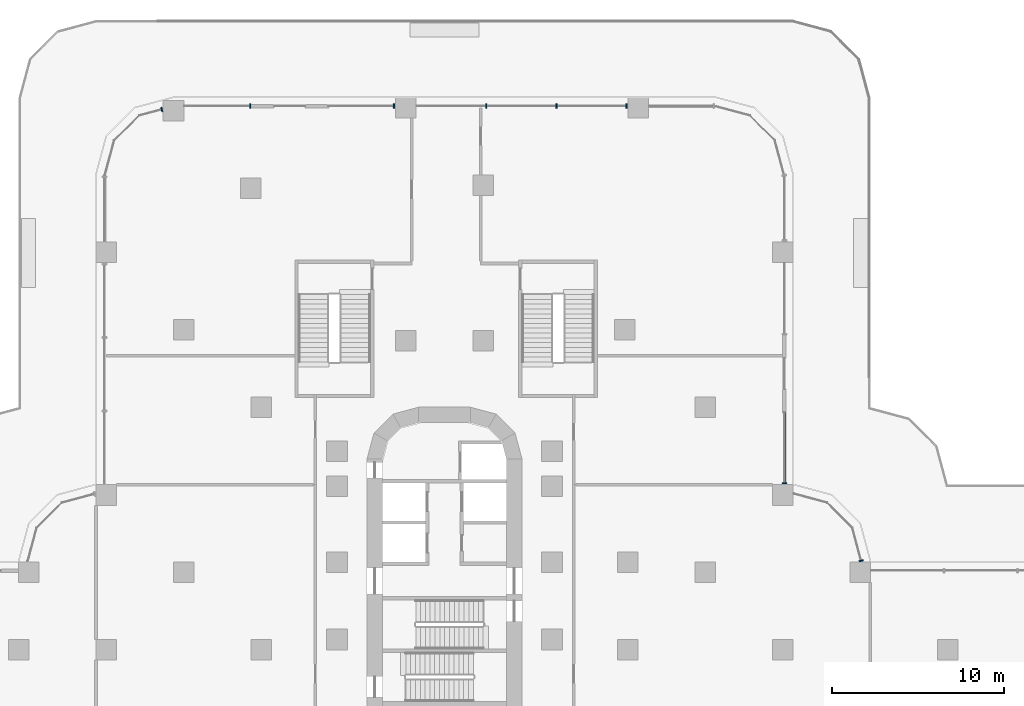
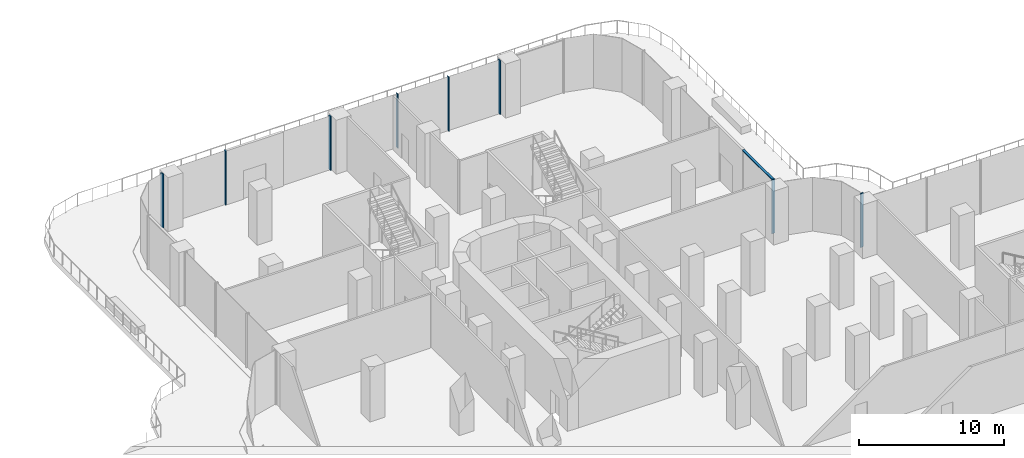
# One storey, part 7 of 29: 9 members, 4 elements without a shape of their own.
"""IFC4 building model written with IfcOpenShell, lengths in metres."""

import ifcopenshell
import ifcopenshell.guid

model = None  # the IFC model being written
_history = None  # IfcOwnerHistory: only IFC2X3 demands one
_inside = {}  # id of a spatial element -> (the spatial element, [elements in it])
_under = {}  # id of a project, library or spatial element -> (it, [spatial elements below it])
_declared = {}  # id of a project -> (the project, [libraries it declares])
_typed = {}  # id of a type object -> (the type object, [elements of that type])
_made_of = {}  # id of a material, layer set ... -> (it, [elements and type objects made of it])


def new_model(schema):
    """Start an empty IFC model of exactly this schema.

    Asked for "IFC4X3", IfcOpenShell would pick the latest addendum, in which some entities
    have other attributes; the version numbers below select the first issue.
    IFC2X3 requires an IfcOwnerHistory on every rooted entity: one is made here for all.
    """
    global model, _history
    if schema == "IFC4X3":
        model = ifcopenshell.file(schema_version=(4, 3, 0, 0))
    else:
        model = ifcopenshell.file(schema=schema)
    _inside.clear()
    _under.clear()
    _declared.clear()
    _typed.clear()
    _made_of.clear()
    _history = None
    if model.schema == "IFC2X3":
        org = make("IfcOrganization", Name="unknown")
        user = make(
            "IfcPersonAndOrganization",
            ThePerson=make("IfcPerson", FamilyName="unknown"),
            TheOrganization=org,
        )
        app = make(
            "IfcApplication",
            ApplicationDeveloper=org,
            Version="unknown",
            ApplicationFullName="unknown",
            ApplicationIdentifier="unknown",
        )
        _history = make(
            "IfcOwnerHistory",
            OwningUser=user,
            OwningApplication=app,
            ChangeAction="ADDED",
            CreationDate=0,
        )
    return model


def make(cls, **values):
    """One entity of the class cls with the attributes given. An attribute that is None is left unset."""
    return model.create_entity(
        cls, **{name: value for name, value in values.items() if value is not None}
    )


def rooted(cls, **values):
    """An entity with a GlobalId (a new one), such as an element, a storey or a relation."""
    return make(cls, GlobalId=ifcopenshell.guid.new(), OwnerHistory=_history, **values)


def si_unit(unit_type, name, prefix=None):
    """IfcSIUnit, for example si_unit("LENGTHUNIT", "METRE", prefix="MILLI")."""
    return make("IfcSIUnit", UnitType=unit_type, Prefix=prefix, Name=name)


def assignment(units):
    """IfcUnitAssignment: the units of a project."""
    return None if units is None else make("IfcUnitAssignment", Units=units)


def point(xyz):
    """IfcCartesianPoint."""
    return None if xyz is None else make("IfcCartesianPoint", Coordinates=xyz)


def direction(xyz):
    """IfcDirection."""
    return None if xyz is None else make("IfcDirection", DirectionRatios=xyz)


def frame(location, z_axis=None, x_axis=None):
    """IfcAxis2Placement3D, a coordinate frame: its origin and axes. An axis left out is left unset."""
    return make(
        "IfcAxis2Placement3D",
        Location=point(location),
        Axis=direction(z_axis),
        RefDirection=direction(x_axis),
    )


def origin():
    """The frame at (0, 0, 0) with its axes left unset."""
    return frame((0.0, 0.0, 0.0))


def place(relative_to, where):
    """IfcLocalPlacement: puts the frame where relative to a parent placement (None: the world)."""
    return make(
        "IfcLocalPlacement", PlacementRelTo=relative_to, RelativePlacement=where
    )


def context(
    kind, dimensions, precision=None, world=None, true_north=None, identifier=None
):
    """IfcGeometricRepresentationContext, for example the 3D "Model" context."""
    return make(
        "IfcGeometricRepresentationContext",
        ContextIdentifier=identifier,
        ContextType=kind,
        CoordinateSpaceDimension=dimensions,
        Precision=precision,
        WorldCoordinateSystem=world,
        TrueNorth=true_north,
    )


def subcontext(parent, identifier, kind, view, scale=None):
    """IfcGeometricRepresentationSubContext, for example "Body" below "Model"."""
    return make(
        "IfcGeometricRepresentationSubContext",
        ContextIdentifier=identifier,
        ContextType=kind,
        ParentContext=parent,
        TargetScale=scale,
        TargetView=view,
    )


def project(units=None, contexts=None):
    """IfcProject with its units and contexts."""
    return rooted(
        "IfcProject",
        Name="project",
        RepresentationContexts=contexts,
        UnitsInContext=assignment(units),
    )


def spatial(cls, under=None, at=None, **own):
    """A site, building, storey or space (cls), placed at a placement, below another one or the project."""
    s = rooted(cls, ObjectPlacement=at, **own)
    if under is not None:
        _under.setdefault(under.id(), (under, []))[1].append(s)
    return s


def polyline(points):
    """IfcPolyline through the points."""
    return make("IfcPolyline", Points=[point(p) for p in points])


def outline(outer, holes=None, kind="AREA"):
    """IfcArbitraryClosedProfileDef: a profile drawn as a closed curve; with holes, ...WithVoids."""
    if holes is None:
        return make("IfcArbitraryClosedProfileDef", ProfileType=kind, OuterCurve=outer)
    return make(
        "IfcArbitraryProfileDefWithVoids",
        ProfileType=kind,
        OuterCurve=outer,
        InnerCurves=holes,
    )


def extrude(swept, where, along, depth):
    """IfcExtrudedAreaSolid: the profile swept, set in the frame where, extruded along a direction by depth."""
    return make(
        "IfcExtrudedAreaSolid",
        SweptArea=swept,
        Position=where,
        ExtrudedDirection=direction(along),
        Depth=depth,
    )


def shape(context_of_items, identifier, shape_type, items):
    """IfcShapeRepresentation: the items that make up one representation, for example the "Body"."""
    return make(
        "IfcShapeRepresentation",
        ContextOfItems=context_of_items,
        RepresentationIdentifier=identifier,
        RepresentationType=shape_type,
        Items=items,
    )


def source(mapping_origin, context_of_items, identifier, shape_type, items):
    """IfcRepresentationMap: a shape defined once, which mapped items show again and again."""
    return make(
        "IfcRepresentationMap",
        MappingOrigin=mapping_origin,
        MappedRepresentation=shape(context_of_items, identifier, shape_type, items),
    )


def transform(
    local_origin,
    x_axis=None,
    y_axis=None,
    z_axis=None,
    scale=None,
    scale2=None,
    scale3=None,
    uniform=True,
):
    """IfcCartesianTransformationOperator3D, or its non-uniform kind. x_axis, y_axis, z_axis: its Axis1, 2, 3."""
    if uniform:
        return make(
            "IfcCartesianTransformationOperator3D",
            Axis1=direction(x_axis),
            Axis2=direction(y_axis),
            LocalOrigin=point(local_origin),
            Scale=scale,
            Axis3=direction(z_axis),
        )
    return make(
        "IfcCartesianTransformationOperator3DnonUniform",
        Axis1=direction(x_axis),
        Axis2=direction(y_axis),
        LocalOrigin=point(local_origin),
        Scale=scale,
        Axis3=direction(z_axis),
        Scale2=scale2,
        Scale3=scale3,
    )


def mapped(mapping_source, mapping_target):
    """IfcMappedItem: shows the shape of a source again, moved by a transform."""
    return make(
        "IfcMappedItem", MappingSource=mapping_source, MappingTarget=mapping_target
    )


def material(Name=None, Category=None):
    """IfcMaterial."""
    return make("IfcMaterial", Name=Name, Category=Category)


def made_of(thing, what):
    """Note that an element or type object is made of a material, layer set ...; save() writes the relation."""
    if what is not None:
        _made_of.setdefault(what.id(), (what, []))[1].append(thing)
    return thing


def type_object(cls, material=None, **own):
    """A type object (cls), such as IfcWallType, which elements share."""
    return made_of(rooted(cls, **own), material)


def element(
    cls,
    number,
    at=None,
    inside=None,
    cuts=None,
    type_object=None,
    material=None,
    context=None,
    identifier="Body",
    shape_type=None,
    held_by="IfcProductDefinitionShape",
    body=None,
    shapes=None,
    **own,
):
    """One element of the class cls, such as IfcWall. Its Tag is "e" and its number.

    at: its placement. inside: the storey or other place that contains it. cuts: it is an
    opening in that element (IfcRelVoidsElement). A single representation is given by context,
    identifier, shape_type and body (its items); several are given by shapes. held_by: the class
    of the entity that holds the representations. save() writes the other relations.
    """
    e = rooted(cls, Tag="e%d" % number, ObjectPlacement=at, **own)
    if body is not None:
        shapes = [shape(context, identifier, shape_type, body)]
    if shapes is not None:
        e.Representation = make(held_by, Representations=shapes)
    if inside is not None:
        _inside.setdefault(inside.id(), (inside, []))[1].append(e)
    if cuts is not None:
        rooted(
            "IfcRelVoidsElement", RelatingBuildingElement=cuts, RelatedOpeningElement=e
        )
    if type_object is not None:
        _typed.setdefault(type_object.id(), (type_object, []))[1].append(e)
    return made_of(e, material)


def aggregate(whole, parts):
    """IfcRelAggregates: a whole, such as a stair, and the parts it consists of."""
    return rooted("IfcRelAggregates", RelatingObject=whole, RelatedObjects=parts)


def save(model, path):
    """Write the relations noted so far, then the file.

    IfcRelAggregates (storeys below a building ...), IfcRelContainedInSpatialStructure (elements
    in a storey), IfcRelDefinesByType, IfcRelAssociatesMaterial and IfcRelDeclares: one each for
    every whole, place, type object, material and project.
    """
    for whole, parts in _under.values():
        aggregate(whole, parts)
    for where, things in _inside.values():
        rooted(
            "IfcRelContainedInSpatialStructure",
            RelatedElements=things,
            RelatingStructure=where,
        )
    for kind, things in _typed.values():
        rooted("IfcRelDefinesByType", RelatedObjects=things, RelatingType=kind)
    for what, things in _made_of.values():
        rooted("IfcRelAssociatesMaterial", RelatedObjects=things, RelatingMaterial=what)
    for by, libraries in _declared.values():
        rooted("IfcRelDeclares", RelatingContext=by, RelatedDefinitions=libraries)
    model.write(path)


model = new_model("IFC4")

# Units and contexts
model_context = context("Model", 3, precision=1e-05, world=origin(), true_north=direction((0.0, 1.0)))
body_context = subcontext(model_context, "Body", "Model", "MODEL_VIEW")
ifc_project = project(units=[si_unit("LENGTHUNIT", "METRE"), si_unit("AREAUNIT", "SQUARE_METRE"), si_unit("VOLUMEUNIT", "CUBIC_METRE"), si_unit("PLANEANGLEUNIT", "RADIAN"), si_unit("MASSUNIT", "GRAM", prefix="KILO")], contexts=[model_context])

# Site, building, storey
site_placement = place(None, origin())
site = spatial("IfcSite", under=ifc_project, at=site_placement, CompositionType="ELEMENT")
building_placement = place(site_placement, origin())
building = spatial("IfcBuilding", under=site, at=building_placement, Name="Zarbagh Exchange Tower", CompositionType="ELEMENT")
storey_placement = place(building_placement, frame((0.0, 0.0, 12.0)))
storey = spatial("IfcBuildingStorey", under=building, at=storey_placement, Name="L02", CompositionType="ELEMENT", Elevation=12.0)

# Curtain wall, member
ifc_material_1 = material(Name="Anodised aluminium frame and glazing", Category="aluminium")
curtain_wall_type = type_object("IfcCurtainWallType", Name="CWC Podium garden-wall glazing", PredefinedType="NOTDEFINED", material=ifc_material_1)
curtain_wall_1_placement = place(storey_placement, origin())
curtain_wall_1 = element("IfcCurtainWall", 1, at=curtain_wall_1_placement, inside=storey, type_object=curtain_wall_type, Name="CWC115 curtain wall", PredefinedType="NOTDEFINED")
ifc_material_2 = material(Name="Anodised aluminium frame", Category="aluminium")
member_type_1 = type_object("IfcMemberType", Name="MUC Mullion, anodised aluminium frame", PredefinedType="MULLION", material=ifc_material_2)
shared_shape_1 = source(origin(), body_context, "Body", "SweptSolid", [
    extrude(outline(polyline([(0.0, -0.125), (0.080078125, -0.125), (0.080078125, 0.125), (0.0, 0.125), (0.0, -0.125)])), origin(), (0.0, 0.0, 1.0), 4.550048828125),
])
placement = place(storey_placement, origin())
member_1 = element("IfcMember", 2, at=placement, type_object=member_type_1, Name="CWC115 mullion 1.1", PredefinedType="MULLION", context=body_context, shape_type="MappedRepresentation", body=[
    mapped(shared_shape_1, transform((24.2216796875, 20.2900390625, 0.0), x_axis=(-0.258824779902, 0.965924289636, 0.0), y_axis=(-0.965924289636, -0.258824779902, 0.0), z_axis=(0.0, 0.0, 1.0))),
])
aggregate(curtain_wall_1, [member_1])

curtain_wall_2_placement = place(storey_placement, origin())
curtain_wall_2 = element("IfcCurtainWall", 3, at=curtain_wall_2_placement, inside=storey, type_object=curtain_wall_type, Name="CWC118 curtain wall", PredefinedType="NOTDEFINED")
member_2 = element("IfcMember", 4, at=placement, type_object=member_type_1, Name="CWC118 mullion 1.1", PredefinedType="MULLION", context=body_context, shape_type="MappedRepresentation", body=[
    mapped(shared_shape_1, transform((19.75, 24.7900390625, 0.0), x_axis=(0.0, 1.0, 0.0), y_axis=(-1.0, 0.0, 0.0), z_axis=(0.0, 0.0, 1.0))),
])

# Curtain wall, members
curtain_wall_3_placement = place(storey_placement, origin())
curtain_wall_3 = element("IfcCurtainWall", 5, at=curtain_wall_3_placement, inside=storey, type_object=curtain_wall_type, Name="CWC122 curtain wall", PredefinedType="NOTDEFINED")
member_3 = element("IfcMember", 6, at=placement, type_object=member_type_1, Name="CWC122 mullion 2.1", PredefinedType="MULLION", context=body_context, shape_type="MappedRepresentation", body=[
    mapped(shared_shape_1, transform((10.60986328125, 46.75, 0.0), x_axis=(-1.0, 0.0, 0.0), y_axis=(0.0, -1.0, 0.0), z_axis=(0.0, 0.0, 1.0))),
])
member_4 = element("IfcMember", 7, at=placement, type_object=member_type_1, Name="CWC122 mullion 2.2", PredefinedType="MULLION", context=body_context, shape_type="MappedRepresentation", body=[
    mapped(shared_shape_1, transform((6.53662109375, 46.75, 0.0), x_axis=(-1.0, 0.0, 0.0), y_axis=(0.0, -1.0, 0.0), z_axis=(0.0, 0.0, 1.0))),
])
member_5 = element("IfcMember", 8, at=placement, type_object=member_type_1, Name="CWC122 mullion 2.3", PredefinedType="MULLION", context=body_context, shape_type="MappedRepresentation", body=[
    mapped(shared_shape_1, transform((2.46337890625, 46.75, 0.0), x_axis=(-1.0, 0.0, 0.0), y_axis=(0.0, -1.0, 0.0), z_axis=(0.0, 0.0, 1.0))),
])
member_6 = element("IfcMember", 9, at=placement, type_object=member_type_1, Name="CWC122 mullion 3.1", PredefinedType="MULLION", context=body_context, shape_type="MappedRepresentation", body=[
    mapped(shared_shape_1, transform((-2.89013671875, 46.75, 0.0), x_axis=(-1.0, 0.0, 0.0), y_axis=(0.0, -1.0, 0.0), z_axis=(0.0, 0.0, 1.0))),
])
member_7 = element("IfcMember", 10, at=placement, type_object=member_type_1, Name="CWC122 mullion 4.1", PredefinedType="MULLION", context=body_context, shape_type="MappedRepresentation", body=[
    mapped(shared_shape_1, transform((-11.25, 46.75, 0.0), x_axis=(-1.0, 0.0, 0.0), y_axis=(0.0, -1.0, 0.0), z_axis=(0.0, 0.0, 1.0))),
])
aggregate(curtain_wall_3, [member_3, member_4, member_5, member_6, member_7])

# Curtain wall, member
curtain_wall_4_placement = place(storey_placement, origin())
curtain_wall_4 = element("IfcCurtainWall", 11, at=curtain_wall_4_placement, inside=storey, type_object=curtain_wall_type, Name="CWC123 curtain wall", PredefinedType="NOTDEFINED")
member_8 = element("IfcMember", 12, at=placement, type_object=member_type_1, Name="CWC123 mullion 1.1", PredefinedType="MULLION", context=body_context, shape_type="MappedRepresentation", body=[
    mapped(shared_shape_1, transform((-16.389892578125, 46.560791015625, 0.0), x_axis=(-0.965924289636, -0.258824779902, 0.0), y_axis=(0.258824779902, -0.965924289636, 0.0), z_axis=(0.0, 0.0, 1.0))),
])
aggregate(curtain_wall_4, [member_8])

# Member
member_type_2 = type_object("IfcMemberType", Name="TRC Transom, anodised aluminium frame", PredefinedType="USERDEFINED", material=ifc_material_2)
shared_shape_2 = source(origin(), body_context, "Body", "SweptSolid", [
    extrude(outline(polyline([(-0.080078125, -0.090087890625), (0.0, -0.090087890625), (0.0, 0.090087890625), (-0.080078125, 0.090087890625), (-0.080078125, -0.090087890625)])), origin(), (0.0, 0.0, 1.0), 4.080078125),
])
member_9 = element("IfcMember", 13, at=placement, type_object=member_type_2, Name="CWC118 transom 1.1", ObjectType="TRANSOM", PredefinedType="USERDEFINED", context=body_context, shape_type="MappedRepresentation", body=[
    mapped(shared_shape_2, transform((19.75, 24.8701171875, 4.550048828125), x_axis=(0.0, 0.0, 1.0), y_axis=(1.0, 0.0, 0.0), z_axis=(0.0, 1.0, 0.0))),
])

aggregate(curtain_wall_2, [member_2, member_9])

save(model, "model.ifc")
